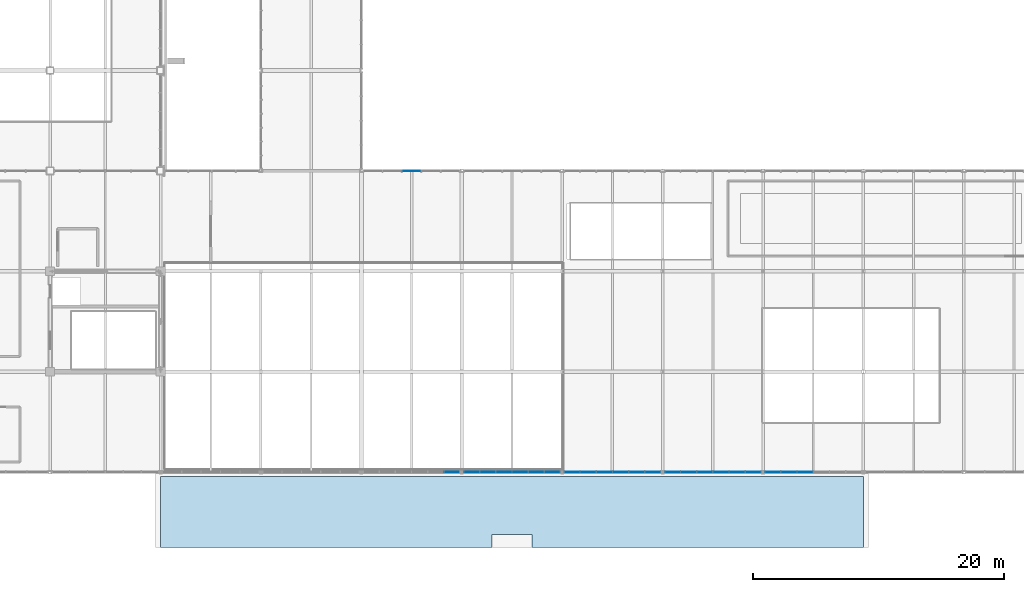
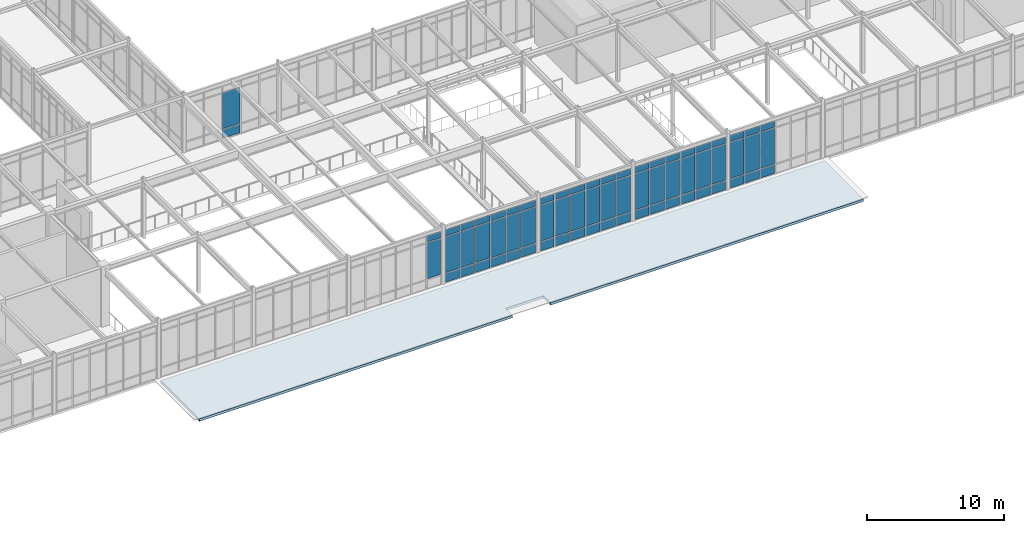
# One storey, part 90 of 184: 67 plates, 1 slab, 6 elements without a shape of their own.
"""IFC4 building model written with IfcOpenShell, lengths in metres."""

import ifcopenshell
import ifcopenshell.guid

model = None  # the IFC model being written
_history = None  # IfcOwnerHistory: only IFC2X3 demands one
_inside = {}  # id of a spatial element -> (the spatial element, [elements in it])
_under = {}  # id of a project, library or spatial element -> (it, [spatial elements below it])
_declared = {}  # id of a project -> (the project, [libraries it declares])
_typed = {}  # id of a type object -> (the type object, [elements of that type])
_made_of = {}  # id of a material, layer set ... -> (it, [elements and type objects made of it])


def new_model(schema):
    """Start an empty IFC model of exactly this schema.

    Asked for "IFC4X3", IfcOpenShell would pick the latest addendum, in which some entities
    have other attributes; the version numbers below select the first issue.
    IFC2X3 requires an IfcOwnerHistory on every rooted entity: one is made here for all.
    """
    global model, _history
    if schema == "IFC4X3":
        model = ifcopenshell.file(schema_version=(4, 3, 0, 0))
    else:
        model = ifcopenshell.file(schema=schema)
    _inside.clear()
    _under.clear()
    _declared.clear()
    _typed.clear()
    _made_of.clear()
    _history = None
    if model.schema == "IFC2X3":
        org = make("IfcOrganization", Name="unknown")
        user = make(
            "IfcPersonAndOrganization",
            ThePerson=make("IfcPerson", FamilyName="unknown"),
            TheOrganization=org,
        )
        app = make(
            "IfcApplication",
            ApplicationDeveloper=org,
            Version="unknown",
            ApplicationFullName="unknown",
            ApplicationIdentifier="unknown",
        )
        _history = make(
            "IfcOwnerHistory",
            OwningUser=user,
            OwningApplication=app,
            ChangeAction="ADDED",
            CreationDate=0,
        )
    return model


def make(cls, **values):
    """One entity of the class cls with the attributes given. An attribute that is None is left unset."""
    return model.create_entity(
        cls, **{name: value for name, value in values.items() if value is not None}
    )


def rooted(cls, **values):
    """An entity with a GlobalId (a new one), such as an element, a storey or a relation."""
    return make(cls, GlobalId=ifcopenshell.guid.new(), OwnerHistory=_history, **values)


def si_unit(unit_type, name, prefix=None):
    """IfcSIUnit, for example si_unit("LENGTHUNIT", "METRE", prefix="MILLI")."""
    return make("IfcSIUnit", UnitType=unit_type, Prefix=prefix, Name=name)


def assignment(units):
    """IfcUnitAssignment: the units of a project."""
    return None if units is None else make("IfcUnitAssignment", Units=units)


def point(xyz):
    """IfcCartesianPoint."""
    return None if xyz is None else make("IfcCartesianPoint", Coordinates=xyz)


def direction(xyz):
    """IfcDirection."""
    return None if xyz is None else make("IfcDirection", DirectionRatios=xyz)


def frame(location, z_axis=None, x_axis=None):
    """IfcAxis2Placement3D, a coordinate frame: its origin and axes. An axis left out is left unset."""
    return make(
        "IfcAxis2Placement3D",
        Location=point(location),
        Axis=direction(z_axis),
        RefDirection=direction(x_axis),
    )


def frame_2d(location, x_axis=None):
    """IfcAxis2Placement2D, a coordinate frame in the plane: its origin and x axis."""
    return make(
        "IfcAxis2Placement2D", Location=point(location), RefDirection=direction(x_axis)
    )


def origin():
    """The frame at (0, 0, 0) with its axes left unset."""
    return frame((0.0, 0.0, 0.0))


def origin_2d():
    """The frame at (0, 0) in the plane with its x axis left unset."""
    return frame_2d((0.0, 0.0))


def place(relative_to, where):
    """IfcLocalPlacement: puts the frame where relative to a parent placement (None: the world)."""
    return make(
        "IfcLocalPlacement", PlacementRelTo=relative_to, RelativePlacement=where
    )


def context(
    kind, dimensions, precision=None, world=None, true_north=None, identifier=None
):
    """IfcGeometricRepresentationContext, for example the 3D "Model" context."""
    return make(
        "IfcGeometricRepresentationContext",
        ContextIdentifier=identifier,
        ContextType=kind,
        CoordinateSpaceDimension=dimensions,
        Precision=precision,
        WorldCoordinateSystem=world,
        TrueNorth=true_north,
    )


def subcontext(parent, identifier, kind, view, scale=None):
    """IfcGeometricRepresentationSubContext, for example "Body" below "Model"."""
    return make(
        "IfcGeometricRepresentationSubContext",
        ContextIdentifier=identifier,
        ContextType=kind,
        ParentContext=parent,
        TargetScale=scale,
        TargetView=view,
    )


def project(units=None, contexts=None):
    """IfcProject with its units and contexts."""
    return rooted(
        "IfcProject",
        Name="project",
        RepresentationContexts=contexts,
        UnitsInContext=assignment(units),
    )


def spatial(cls, under=None, at=None, **own):
    """A site, building, storey or space (cls), placed at a placement, below another one or the project."""
    s = rooted(cls, ObjectPlacement=at, **own)
    if under is not None:
        _under.setdefault(under.id(), (under, []))[1].append(s)
    return s


def polyline(points):
    """IfcPolyline through the points."""
    return make("IfcPolyline", Points=[point(p) for p in points])


def profile(cls, at=None, kind="AREA", **sizes):
    """A parametric profile (cls). Its sizes go by their IFC names, for example OverallWidth=200.0."""
    return make(cls, ProfileType=kind, Position=at, **sizes)


def rectangle(**sizes):
    """IfcRectangleProfileDef."""
    return profile("IfcRectangleProfileDef", **sizes)


def outline(outer, holes=None, kind="AREA"):
    """IfcArbitraryClosedProfileDef: a profile drawn as a closed curve; with holes, ...WithVoids."""
    if holes is None:
        return make("IfcArbitraryClosedProfileDef", ProfileType=kind, OuterCurve=outer)
    return make(
        "IfcArbitraryProfileDefWithVoids",
        ProfileType=kind,
        OuterCurve=outer,
        InnerCurves=holes,
    )


def extrude(swept, where, along, depth):
    """IfcExtrudedAreaSolid: the profile swept, set in the frame where, extruded along a direction by depth."""
    return make(
        "IfcExtrudedAreaSolid",
        SweptArea=swept,
        Position=where,
        ExtrudedDirection=direction(along),
        Depth=depth,
    )


def shape(context_of_items, identifier, shape_type, items):
    """IfcShapeRepresentation: the items that make up one representation, for example the "Body"."""
    return make(
        "IfcShapeRepresentation",
        ContextOfItems=context_of_items,
        RepresentationIdentifier=identifier,
        RepresentationType=shape_type,
        Items=items,
    )


def material(Name=None, Category=None):
    """IfcMaterial."""
    return make("IfcMaterial", Name=Name, Category=Category)


def layer(
    of_material, thickness, ventilated=None, Name=None, Category=None, Priority=None
):
    """IfcMaterialLayer: one layer of a wall or slab, of a material (None: an air gap)."""
    return make(
        "IfcMaterialLayer",
        Material=of_material,
        LayerThickness=thickness,
        IsVentilated=ventilated,
        Name=Name,
        Category=Category,
        Priority=Priority,
    )


def layer_set(layers, Name=None):
    """IfcMaterialLayerSet."""
    return make("IfcMaterialLayerSet", MaterialLayers=layers, LayerSetName=Name)


def made_of(thing, what):
    """Note that an element or type object is made of a material, layer set ...; save() writes the relation."""
    if what is not None:
        _made_of.setdefault(what.id(), (what, []))[1].append(thing)
    return thing


def type_object(cls, material=None, **own):
    """A type object (cls), such as IfcWallType, which elements share."""
    return made_of(rooted(cls, **own), material)


def element(
    cls,
    number,
    at=None,
    inside=None,
    cuts=None,
    type_object=None,
    material=None,
    context=None,
    identifier="Body",
    shape_type=None,
    held_by="IfcProductDefinitionShape",
    body=None,
    shapes=None,
    **own,
):
    """One element of the class cls, such as IfcWall. Its Tag is "e" and its number.

    at: its placement. inside: the storey or other place that contains it. cuts: it is an
    opening in that element (IfcRelVoidsElement). A single representation is given by context,
    identifier, shape_type and body (its items); several are given by shapes. held_by: the class
    of the entity that holds the representations. save() writes the other relations.
    """
    e = rooted(cls, Tag="e%d" % number, ObjectPlacement=at, **own)
    if body is not None:
        shapes = [shape(context, identifier, shape_type, body)]
    if shapes is not None:
        e.Representation = make(held_by, Representations=shapes)
    if inside is not None:
        _inside.setdefault(inside.id(), (inside, []))[1].append(e)
    if cuts is not None:
        rooted(
            "IfcRelVoidsElement", RelatingBuildingElement=cuts, RelatedOpeningElement=e
        )
    if type_object is not None:
        _typed.setdefault(type_object.id(), (type_object, []))[1].append(e)
    return made_of(e, material)


def aggregate(whole, parts):
    """IfcRelAggregates: a whole, such as a stair, and the parts it consists of."""
    return rooted("IfcRelAggregates", RelatingObject=whole, RelatedObjects=parts)


def save(model, path):
    """Write the relations noted so far, then the file.

    IfcRelAggregates (storeys below a building ...), IfcRelContainedInSpatialStructure (elements
    in a storey), IfcRelDefinesByType, IfcRelAssociatesMaterial and IfcRelDeclares: one each for
    every whole, place, type object, material and project.
    """
    for whole, parts in _under.values():
        aggregate(whole, parts)
    for where, things in _inside.values():
        rooted(
            "IfcRelContainedInSpatialStructure",
            RelatedElements=things,
            RelatingStructure=where,
        )
    for kind, things in _typed.values():
        rooted("IfcRelDefinesByType", RelatedObjects=things, RelatingType=kind)
    for what, things in _made_of.values():
        rooted("IfcRelAssociatesMaterial", RelatedObjects=things, RelatingMaterial=what)
    for by, libraries in _declared.values():
        rooted("IfcRelDeclares", RelatingContext=by, RelatedDefinitions=libraries)
    model.write(path)


model = new_model("IFC4")

# Units and contexts
model_context = context("Model", 3, precision=1e-05, world=origin(), true_north=direction((0.0, 1.0)))
body_context = subcontext(model_context, "Body", "Model", "MODEL_VIEW")
ifc_project = project(units=[si_unit("LENGTHUNIT", "METRE"), si_unit("AREAUNIT", "SQUARE_METRE"), si_unit("VOLUMEUNIT", "CUBIC_METRE"), si_unit("PLANEANGLEUNIT", "RADIAN"), si_unit("MASSUNIT", "GRAM", prefix="KILO")], contexts=[model_context])

# Site, building, storey
site_placement = place(None, origin())
site = spatial("IfcSite", under=ifc_project, at=site_placement, CompositionType="ELEMENT")
building_placement = place(site_placement, origin())
building = spatial("IfcBuilding", under=site, at=building_placement, Name="Zhaolan Boulevard Law Courts", CompositionType="ELEMENT")
storey_placement = place(building_placement, frame((0.0, 0.0, 5.39990234375)))
storey = spatial("IfcBuildingStorey", under=building, at=storey_placement, Name="L01", CompositionType="ELEMENT", Elevation=5.39990234375)

# Curtain wall, plates
ifc_material_1 = material(Name="Thermally broken aluminium and low-E glazing", Category="aluminium")
curtain_wall_type_1 = type_object("IfcCurtainWallType", Name="CURTAIN WALL M11", PredefinedType="USERDEFINED", material=ifc_material_1)
curtain_wall_1_placement = place(storey_placement, origin())
curtain_wall_1 = element("IfcCurtainWall", 1, at=curtain_wall_1_placement, inside=storey, type_object=curtain_wall_type_1, Name="Curtain Wall CW-L01-035", ObjectType="CURTAIN WALL", PredefinedType="USERDEFINED")
ifc_material_2 = material(Name="Acoustic laminated low-E glazing", Category="glass")
ifc_layer_1 = layer(ifc_material_2, 0.031982421875)
ifc_layer_set_1 = layer_set([ifc_layer_1])
plate_type = type_object("IfcPlateType", Name="CWPANEL LOW E32", PredefinedType="CURTAIN_PANEL", material=ifc_layer_set_1)
plate_1_placement = place(storey_placement, frame((67.211181640625, 6.0, 0.9326171875), z_axis=(0.0, 0.0, 1.0), x_axis=(1.0, 0.0, 0.0)))
plate_1 = element("IfcPlate", 2, at=plate_1_placement, type_object=plate_type, Name="CW-L01-035 panel 6.2", PredefinedType="CURTAIN_PANEL", context=body_context, shape_type="SweptSolid", body=[
    extrude(rectangle(XDim=1.193603515625, YDim=0.031982421875, at=origin_2d()), origin(), (0.0, 0.0, 1.0), 3.2080078125),
])
plate_2_placement = place(storey_placement, frame((67.211181640625, 6.0, 4.20556640625), z_axis=(0.0, 0.0, 1.0), x_axis=(1.0, 0.0, 0.0)))
plate_2 = element("IfcPlate", 3, at=plate_2_placement, type_object=plate_type, Name="CW-L01-035 panel 6.3", PredefinedType="CURTAIN_PANEL", context=body_context, shape_type="SweptSolid", body=[
    extrude(rectangle(XDim=1.193603515625, YDim=0.031982421875, at=origin_2d()), origin(), (0.0, 0.0, 1.0), 0.552490234375),
])
aggregate(curtain_wall_1, [plate_1, plate_2])

ifc_material_3 = material(Name="Thermally broken aluminium and low-E glazing", Category="aluminium")
curtain_wall_type_2 = type_object("IfcCurtainWallType", Name="CURTAIN WALL M12", PredefinedType="USERDEFINED", material=ifc_material_3)
curtain_wall_2_placement = place(storey_placement, origin())
curtain_wall_2 = element("IfcCurtainWall", 4, at=curtain_wall_2_placement, inside=storey, type_object=curtain_wall_type_2, Name="Curtain Wall CW-L01-036", ObjectType="CURTAIN WALL", PredefinedType="USERDEFINED")
plate_3_placement = place(storey_placement, frame((68.788818359375, 6.0, 0.06494140625), z_axis=(0.0, 0.0, 1.0), x_axis=(1.0, 0.0, 0.0)))
plate_3 = element("IfcPlate", 5, at=plate_3_placement, type_object=plate_type, Name="CW-L01-036 panel 1.1", PredefinedType="CURTAIN_PANEL", context=body_context, shape_type="SweptSolid", body=[
    extrude(rectangle(XDim=1.193603515625, YDim=0.031982421875, at=origin_2d()), origin(), (0.0, 0.0, 1.0), 0.802490234375),
])
plate_4_placement = place(storey_placement, frame((68.788818359375, 6.0, 0.9326171875), z_axis=(0.0, 0.0, 1.0), x_axis=(1.0, 0.0, 0.0)))
plate_4 = element("IfcPlate", 6, at=plate_4_placement, type_object=plate_type, Name="CW-L01-036 panel 1.2", PredefinedType="CURTAIN_PANEL", context=body_context, shape_type="SweptSolid", body=[
    extrude(rectangle(XDim=1.193603515625, YDim=0.031982421875, at=origin_2d()), origin(), (0.0, 0.0, 1.0), 3.2080078125),
])
plate_5_placement = place(storey_placement, frame((68.788818359375, 6.0, 4.20556640625), z_axis=(0.0, 0.0, 1.0), x_axis=(1.0, 0.0, 0.0)))
plate_5 = element("IfcPlate", 7, at=plate_5_placement, type_object=plate_type, Name="CW-L01-036 panel 1.3", PredefinedType="CURTAIN_PANEL", context=body_context, shape_type="SweptSolid", body=[
    extrude(rectangle(XDim=1.193603515625, YDim=0.031982421875, at=origin_2d()), origin(), (0.0, 0.0, 1.0), 0.552490234375),
])
plate_6_placement = place(storey_placement, frame((70.0634765625, 6.0, 0.06494140625), z_axis=(0.0, 0.0, 1.0), x_axis=(1.0, 0.0, 0.0)))
plate_6 = element("IfcPlate", 8, at=plate_6_placement, type_object=plate_type, Name="CW-L01-036 panel 2.1", PredefinedType="CURTAIN_PANEL", context=body_context, shape_type="SweptSolid", body=[
    extrude(rectangle(XDim=1.22607421875, YDim=0.031982421875, at=origin_2d()), origin(), (0.0, 0.0, 1.0), 0.802490234375),
])
plate_7_placement = place(storey_placement, frame((70.0634765625, 6.0, 0.9326171875), z_axis=(0.0, 0.0, 1.0), x_axis=(1.0, 0.0, 0.0)))
plate_7 = element("IfcPlate", 9, at=plate_7_placement, type_object=plate_type, Name="CW-L01-036 panel 2.2", PredefinedType="CURTAIN_PANEL", context=body_context, shape_type="SweptSolid", body=[
    extrude(rectangle(XDim=1.22607421875, YDim=0.031982421875, at=origin_2d()), origin(), (0.0, 0.0, 1.0), 3.2080078125),
])
plate_8_placement = place(storey_placement, frame((70.0634765625, 6.0, 4.20556640625), z_axis=(0.0, 0.0, 1.0), x_axis=(1.0, 0.0, 0.0)))
plate_8 = element("IfcPlate", 10, at=plate_8_placement, type_object=plate_type, Name="CW-L01-036 panel 2.3", PredefinedType="CURTAIN_PANEL", context=body_context, shape_type="SweptSolid", body=[
    extrude(rectangle(XDim=1.22607421875, YDim=0.031982421875, at=origin_2d()), origin(), (0.0, 0.0, 1.0), 0.552490234375),
])
plate_9_placement = place(storey_placement, frame((71.3544921875, 6.0, 0.06494140625), z_axis=(0.0, 0.0, 1.0), x_axis=(1.0, 0.0, 0.0)))
plate_9 = element("IfcPlate", 11, at=plate_9_placement, type_object=plate_type, Name="CW-L01-036 panel 3.1", PredefinedType="CURTAIN_PANEL", context=body_context, shape_type="SweptSolid", body=[
    extrude(rectangle(XDim=1.22607421875, YDim=0.031982421875, at=origin_2d()), origin(), (0.0, 0.0, 1.0), 0.802490234375),
])
plate_10_placement = place(storey_placement, frame((71.3544921875, 6.0, 0.9326171875), z_axis=(0.0, 0.0, 1.0), x_axis=(1.0, 0.0, 0.0)))
plate_10 = element("IfcPlate", 12, at=plate_10_placement, type_object=plate_type, Name="CW-L01-036 panel 3.2", PredefinedType="CURTAIN_PANEL", context=body_context, shape_type="SweptSolid", body=[
    extrude(rectangle(XDim=1.22607421875, YDim=0.031982421875, at=origin_2d()), origin(), (0.0, 0.0, 1.0), 3.2080078125),
])
plate_11_placement = place(storey_placement, frame((71.3544921875, 6.0, 4.20556640625), z_axis=(0.0, 0.0, 1.0), x_axis=(1.0, 0.0, 0.0)))
plate_11 = element("IfcPlate", 13, at=plate_11_placement, type_object=plate_type, Name="CW-L01-036 panel 3.3", PredefinedType="CURTAIN_PANEL", context=body_context, shape_type="SweptSolid", body=[
    extrude(rectangle(XDim=1.22607421875, YDim=0.031982421875, at=origin_2d()), origin(), (0.0, 0.0, 1.0), 0.552490234375),
])
plate_12_placement = place(storey_placement, frame((72.6455078125, 6.0, 0.06494140625), z_axis=(0.0, 0.0, 1.0), x_axis=(1.0, 0.0, 0.0)))
plate_12 = element("IfcPlate", 14, at=plate_12_placement, type_object=plate_type, Name="CW-L01-036 panel 4.1", PredefinedType="CURTAIN_PANEL", context=body_context, shape_type="SweptSolid", body=[
    extrude(rectangle(XDim=1.22607421875, YDim=0.031982421875, at=origin_2d()), origin(), (0.0, 0.0, 1.0), 0.802490234375),
])
plate_13_placement = place(storey_placement, frame((72.6455078125, 6.0, 0.9326171875), z_axis=(0.0, 0.0, 1.0), x_axis=(1.0, 0.0, 0.0)))
plate_13 = element("IfcPlate", 15, at=plate_13_placement, type_object=plate_type, Name="CW-L01-036 panel 4.2", PredefinedType="CURTAIN_PANEL", context=body_context, shape_type="SweptSolid", body=[
    extrude(rectangle(XDim=1.22607421875, YDim=0.031982421875, at=origin_2d()), origin(), (0.0, 0.0, 1.0), 3.2080078125),
])
plate_14_placement = place(storey_placement, frame((72.6455078125, 6.0, 4.20556640625), z_axis=(0.0, 0.0, 1.0), x_axis=(1.0, 0.0, 0.0)))
plate_14 = element("IfcPlate", 16, at=plate_14_placement, type_object=plate_type, Name="CW-L01-036 panel 4.3", PredefinedType="CURTAIN_PANEL", context=body_context, shape_type="SweptSolid", body=[
    extrude(rectangle(XDim=1.22607421875, YDim=0.031982421875, at=origin_2d()), origin(), (0.0, 0.0, 1.0), 0.552490234375),
])
plate_15_placement = place(storey_placement, frame((73.9365234375, 6.0, 0.06494140625), z_axis=(0.0, 0.0, 1.0), x_axis=(1.0, 0.0, 0.0)))
plate_15 = element("IfcPlate", 17, at=plate_15_placement, type_object=plate_type, Name="CW-L01-036 panel 5.1", PredefinedType="CURTAIN_PANEL", context=body_context, shape_type="SweptSolid", body=[
    extrude(rectangle(XDim=1.22607421875, YDim=0.031982421875, at=origin_2d()), origin(), (0.0, 0.0, 1.0), 0.802490234375),
])
plate_16_placement = place(storey_placement, frame((73.9365234375, 6.0, 0.9326171875), z_axis=(0.0, 0.0, 1.0), x_axis=(1.0, 0.0, 0.0)))
plate_16 = element("IfcPlate", 18, at=plate_16_placement, type_object=plate_type, Name="CW-L01-036 panel 5.2", PredefinedType="CURTAIN_PANEL", context=body_context, shape_type="SweptSolid", body=[
    extrude(rectangle(XDim=1.22607421875, YDim=0.031982421875, at=origin_2d()), origin(), (0.0, 0.0, 1.0), 3.2080078125),
])
plate_17_placement = place(storey_placement, frame((73.9365234375, 6.0, 4.20556640625), z_axis=(0.0, 0.0, 1.0), x_axis=(1.0, 0.0, 0.0)))
plate_17 = element("IfcPlate", 19, at=plate_17_placement, type_object=plate_type, Name="CW-L01-036 panel 5.3", PredefinedType="CURTAIN_PANEL", context=body_context, shape_type="SweptSolid", body=[
    extrude(rectangle(XDim=1.22607421875, YDim=0.031982421875, at=origin_2d()), origin(), (0.0, 0.0, 1.0), 0.552490234375),
])
plate_18_placement = place(storey_placement, frame((75.211181640625, 6.0, 0.06494140625), z_axis=(0.0, 0.0, 1.0), x_axis=(1.0, 0.0, 0.0)))
plate_18 = element("IfcPlate", 20, at=plate_18_placement, type_object=plate_type, Name="CW-L01-036 panel 6.1", PredefinedType="CURTAIN_PANEL", context=body_context, shape_type="SweptSolid", body=[
    extrude(rectangle(XDim=1.193603515625, YDim=0.031982421875, at=origin_2d()), origin(), (0.0, 0.0, 1.0), 0.802490234375),
])
plate_19_placement = place(storey_placement, frame((75.211181640625, 6.0, 0.9326171875), z_axis=(0.0, 0.0, 1.0), x_axis=(1.0, 0.0, 0.0)))
plate_19 = element("IfcPlate", 21, at=plate_19_placement, type_object=plate_type, Name="CW-L01-036 panel 6.2", PredefinedType="CURTAIN_PANEL", context=body_context, shape_type="SweptSolid", body=[
    extrude(rectangle(XDim=1.193603515625, YDim=0.031982421875, at=origin_2d()), origin(), (0.0, 0.0, 1.0), 3.2080078125),
])
plate_20_placement = place(storey_placement, frame((75.211181640625, 6.0, 4.20556640625), z_axis=(0.0, 0.0, 1.0), x_axis=(1.0, 0.0, 0.0)))
plate_20 = element("IfcPlate", 22, at=plate_20_placement, type_object=plate_type, Name="CW-L01-036 panel 6.3", PredefinedType="CURTAIN_PANEL", context=body_context, shape_type="SweptSolid", body=[
    extrude(rectangle(XDim=1.193603515625, YDim=0.031982421875, at=origin_2d()), origin(), (0.0, 0.0, 1.0), 0.552490234375),
])
aggregate(curtain_wall_2, [plate_3, plate_4, plate_5, plate_6, plate_7, plate_8, plate_9, plate_10, plate_11, plate_12, plate_13, plate_14, plate_15, plate_16, plate_17, plate_18, plate_19, plate_20])

ifc_material_4 = material(Name="Thermally broken aluminium and low-E glazing", Category="aluminium")
curtain_wall_type_3 = type_object("IfcCurtainWallType", Name="CURTAIN WALL M13", PredefinedType="USERDEFINED", material=ifc_material_4)
curtain_wall_3_placement = place(storey_placement, origin())
curtain_wall_3 = element("IfcCurtainWall", 23, at=curtain_wall_3_placement, inside=storey, type_object=curtain_wall_type_3, Name="Curtain Wall CW-L01-037", ObjectType="CURTAIN WALL", PredefinedType="USERDEFINED")
plate_21_placement = place(storey_placement, frame((76.788818359375, 6.0, 0.06494140625), z_axis=(0.0, 0.0, 1.0), x_axis=(1.0, 0.0, 0.0)))
plate_21 = element("IfcPlate", 24, at=plate_21_placement, type_object=plate_type, Name="CW-L01-037 panel 1.1", PredefinedType="CURTAIN_PANEL", context=body_context, shape_type="SweptSolid", body=[
    extrude(rectangle(XDim=1.193603515625, YDim=0.031982421875, at=origin_2d()), origin(), (0.0, 0.0, 1.0), 0.802490234375),
])
plate_22_placement = place(storey_placement, frame((76.788818359375, 6.0, 0.9326171875), z_axis=(0.0, 0.0, 1.0), x_axis=(1.0, 0.0, 0.0)))
plate_22 = element("IfcPlate", 25, at=plate_22_placement, type_object=plate_type, Name="CW-L01-037 panel 1.2", PredefinedType="CURTAIN_PANEL", context=body_context, shape_type="SweptSolid", body=[
    extrude(rectangle(XDim=1.193603515625, YDim=0.031982421875, at=origin_2d()), origin(), (0.0, 0.0, 1.0), 3.2080078125),
])
plate_23_placement = place(storey_placement, frame((76.788818359375, 6.0, 4.20556640625), z_axis=(0.0, 0.0, 1.0), x_axis=(1.0, 0.0, 0.0)))
plate_23 = element("IfcPlate", 26, at=plate_23_placement, type_object=plate_type, Name="CW-L01-037 panel 1.3", PredefinedType="CURTAIN_PANEL", context=body_context, shape_type="SweptSolid", body=[
    extrude(rectangle(XDim=1.193603515625, YDim=0.031982421875, at=origin_2d()), origin(), (0.0, 0.0, 1.0), 0.552490234375),
])
plate_24_placement = place(storey_placement, frame((78.0634765625, 6.0, 0.06494140625), z_axis=(0.0, 0.0, 1.0), x_axis=(1.0, 0.0, 0.0)))
plate_24 = element("IfcPlate", 27, at=plate_24_placement, type_object=plate_type, Name="CW-L01-037 panel 2.1", PredefinedType="CURTAIN_PANEL", context=body_context, shape_type="SweptSolid", body=[
    extrude(rectangle(XDim=1.22607421875, YDim=0.031982421875, at=origin_2d()), origin(), (0.0, 0.0, 1.0), 0.802490234375),
])
plate_25_placement = place(storey_placement, frame((78.0634765625, 6.0, 0.9326171875), z_axis=(0.0, 0.0, 1.0), x_axis=(1.0, 0.0, 0.0)))
plate_25 = element("IfcPlate", 28, at=plate_25_placement, type_object=plate_type, Name="CW-L01-037 panel 2.2", PredefinedType="CURTAIN_PANEL", context=body_context, shape_type="SweptSolid", body=[
    extrude(rectangle(XDim=1.22607421875, YDim=0.031982421875, at=origin_2d()), origin(), (0.0, 0.0, 1.0), 3.2080078125),
])
plate_26_placement = place(storey_placement, frame((78.0634765625, 6.0, 4.20556640625), z_axis=(0.0, 0.0, 1.0), x_axis=(1.0, 0.0, 0.0)))
plate_26 = element("IfcPlate", 29, at=plate_26_placement, type_object=plate_type, Name="CW-L01-037 panel 2.3", PredefinedType="CURTAIN_PANEL", context=body_context, shape_type="SweptSolid", body=[
    extrude(rectangle(XDim=1.22607421875, YDim=0.031982421875, at=origin_2d()), origin(), (0.0, 0.0, 1.0), 0.552490234375),
])
plate_27_placement = place(storey_placement, frame((79.3544921875, 6.0, 0.06494140625), z_axis=(0.0, 0.0, 1.0), x_axis=(1.0, 0.0, 0.0)))
plate_27 = element("IfcPlate", 30, at=plate_27_placement, type_object=plate_type, Name="CW-L01-037 panel 3.1", PredefinedType="CURTAIN_PANEL", context=body_context, shape_type="SweptSolid", body=[
    extrude(rectangle(XDim=1.22607421875, YDim=0.031982421875, at=origin_2d()), origin(), (0.0, 0.0, 1.0), 0.802490234375),
])
plate_28_placement = place(storey_placement, frame((79.3544921875, 6.0, 0.9326171875), z_axis=(0.0, 0.0, 1.0), x_axis=(1.0, 0.0, 0.0)))
plate_28 = element("IfcPlate", 31, at=plate_28_placement, type_object=plate_type, Name="CW-L01-037 panel 3.2", PredefinedType="CURTAIN_PANEL", context=body_context, shape_type="SweptSolid", body=[
    extrude(rectangle(XDim=1.22607421875, YDim=0.031982421875, at=origin_2d()), origin(), (0.0, 0.0, 1.0), 3.2080078125),
])
plate_29_placement = place(storey_placement, frame((79.3544921875, 6.0, 4.20556640625), z_axis=(0.0, 0.0, 1.0), x_axis=(1.0, 0.0, 0.0)))
plate_29 = element("IfcPlate", 32, at=plate_29_placement, type_object=plate_type, Name="CW-L01-037 panel 3.3", PredefinedType="CURTAIN_PANEL", context=body_context, shape_type="SweptSolid", body=[
    extrude(rectangle(XDim=1.22607421875, YDim=0.031982421875, at=origin_2d()), origin(), (0.0, 0.0, 1.0), 0.552490234375),
])
plate_30_placement = place(storey_placement, frame((80.6455078125, 6.0, 0.06494140625), z_axis=(0.0, 0.0, 1.0), x_axis=(1.0, 0.0, 0.0)))
plate_30 = element("IfcPlate", 33, at=plate_30_placement, type_object=plate_type, Name="CW-L01-037 panel 4.1", PredefinedType="CURTAIN_PANEL", context=body_context, shape_type="SweptSolid", body=[
    extrude(rectangle(XDim=1.22607421875, YDim=0.031982421875, at=origin_2d()), origin(), (0.0, 0.0, 1.0), 0.802490234375),
])
plate_31_placement = place(storey_placement, frame((80.6455078125, 6.0, 0.9326171875), z_axis=(0.0, 0.0, 1.0), x_axis=(1.0, 0.0, 0.0)))
plate_31 = element("IfcPlate", 34, at=plate_31_placement, type_object=plate_type, Name="CW-L01-037 panel 4.2", PredefinedType="CURTAIN_PANEL", context=body_context, shape_type="SweptSolid", body=[
    extrude(rectangle(XDim=1.22607421875, YDim=0.031982421875, at=origin_2d()), origin(), (0.0, 0.0, 1.0), 3.2080078125),
])
plate_32_placement = place(storey_placement, frame((80.6455078125, 6.0, 4.20556640625), z_axis=(0.0, 0.0, 1.0), x_axis=(1.0, 0.0, 0.0)))
plate_32 = element("IfcPlate", 35, at=plate_32_placement, type_object=plate_type, Name="CW-L01-037 panel 4.3", PredefinedType="CURTAIN_PANEL", context=body_context, shape_type="SweptSolid", body=[
    extrude(rectangle(XDim=1.22607421875, YDim=0.031982421875, at=origin_2d()), origin(), (0.0, 0.0, 1.0), 0.552490234375),
])
plate_33_placement = place(storey_placement, frame((81.9365234375, 6.0, 0.06494140625), z_axis=(0.0, 0.0, 1.0), x_axis=(1.0, 0.0, 0.0)))
plate_33 = element("IfcPlate", 36, at=plate_33_placement, type_object=plate_type, Name="CW-L01-037 panel 5.1", PredefinedType="CURTAIN_PANEL", context=body_context, shape_type="SweptSolid", body=[
    extrude(rectangle(XDim=1.22607421875, YDim=0.031982421875, at=origin_2d()), origin(), (0.0, 0.0, 1.0), 0.802490234375),
])
plate_34_placement = place(storey_placement, frame((81.9365234375, 6.0, 0.9326171875), z_axis=(0.0, 0.0, 1.0), x_axis=(1.0, 0.0, 0.0)))
plate_34 = element("IfcPlate", 37, at=plate_34_placement, type_object=plate_type, Name="CW-L01-037 panel 5.2", PredefinedType="CURTAIN_PANEL", context=body_context, shape_type="SweptSolid", body=[
    extrude(rectangle(XDim=1.22607421875, YDim=0.031982421875, at=origin_2d()), origin(), (0.0, 0.0, 1.0), 3.2080078125),
])
plate_35_placement = place(storey_placement, frame((81.9365234375, 6.0, 4.20556640625), z_axis=(0.0, 0.0, 1.0), x_axis=(1.0, 0.0, 0.0)))
plate_35 = element("IfcPlate", 38, at=plate_35_placement, type_object=plate_type, Name="CW-L01-037 panel 5.3", PredefinedType="CURTAIN_PANEL", context=body_context, shape_type="SweptSolid", body=[
    extrude(rectangle(XDim=1.22607421875, YDim=0.031982421875, at=origin_2d()), origin(), (0.0, 0.0, 1.0), 0.552490234375),
])
plate_36_placement = place(storey_placement, frame((83.211181640625, 6.0, 0.06494140625), z_axis=(0.0, 0.0, 1.0), x_axis=(1.0, 0.0, 0.0)))
plate_36 = element("IfcPlate", 39, at=plate_36_placement, type_object=plate_type, Name="CW-L01-037 panel 6.1", PredefinedType="CURTAIN_PANEL", context=body_context, shape_type="SweptSolid", body=[
    extrude(rectangle(XDim=1.193603515625, YDim=0.031982421875, at=origin_2d()), origin(), (0.0, 0.0, 1.0), 0.802490234375),
])
plate_37_placement = place(storey_placement, frame((83.211181640625, 6.0, 0.9326171875), z_axis=(0.0, 0.0, 1.0), x_axis=(1.0, 0.0, 0.0)))
plate_37 = element("IfcPlate", 40, at=plate_37_placement, type_object=plate_type, Name="CW-L01-037 panel 6.2", PredefinedType="CURTAIN_PANEL", context=body_context, shape_type="SweptSolid", body=[
    extrude(rectangle(XDim=1.193603515625, YDim=0.031982421875, at=origin_2d()), origin(), (0.0, 0.0, 1.0), 3.2080078125),
])
plate_38_placement = place(storey_placement, frame((83.211181640625, 6.0, 4.20556640625), z_axis=(0.0, 0.0, 1.0), x_axis=(1.0, 0.0, 0.0)))
plate_38 = element("IfcPlate", 41, at=plate_38_placement, type_object=plate_type, Name="CW-L01-037 panel 6.3", PredefinedType="CURTAIN_PANEL", context=body_context, shape_type="SweptSolid", body=[
    extrude(rectangle(XDim=1.193603515625, YDim=0.031982421875, at=origin_2d()), origin(), (0.0, 0.0, 1.0), 0.552490234375),
])
aggregate(curtain_wall_3, [plate_21, plate_22, plate_23, plate_24, plate_25, plate_26, plate_27, plate_28, plate_29, plate_30, plate_31, plate_32, plate_33, plate_34, plate_35, plate_36, plate_37, plate_38])

ifc_material_5 = material(Name="Thermally broken aluminium and low-E glazing", Category="aluminium")
curtain_wall_type_4 = type_object("IfcCurtainWallType", Name="CURTAIN WALL M14", PredefinedType="USERDEFINED", material=ifc_material_5)
curtain_wall_4_placement = place(storey_placement, origin())
curtain_wall_4 = element("IfcCurtainWall", 42, at=curtain_wall_4_placement, inside=storey, type_object=curtain_wall_type_4, Name="Curtain Wall CW-L01-038", ObjectType="CURTAIN WALL", PredefinedType="USERDEFINED")
plate_39_placement = place(storey_placement, frame((84.788818359375, 6.0, 0.06494140625), z_axis=(0.0, 0.0, 1.0), x_axis=(1.0, 0.0, 0.0)))
plate_39 = element("IfcPlate", 43, at=plate_39_placement, type_object=plate_type, Name="CW-L01-038 panel 1.1", PredefinedType="CURTAIN_PANEL", context=body_context, shape_type="SweptSolid", body=[
    extrude(rectangle(XDim=1.193603515625, YDim=0.031982421875, at=origin_2d()), origin(), (0.0, 0.0, 1.0), 0.802490234375),
])
plate_40_placement = place(storey_placement, frame((84.788818359375, 6.0, 0.9326171875), z_axis=(0.0, 0.0, 1.0), x_axis=(1.0, 0.0, 0.0)))
plate_40 = element("IfcPlate", 44, at=plate_40_placement, type_object=plate_type, Name="CW-L01-038 panel 1.2", PredefinedType="CURTAIN_PANEL", context=body_context, shape_type="SweptSolid", body=[
    extrude(rectangle(XDim=1.193603515625, YDim=0.031982421875, at=origin_2d()), origin(), (0.0, 0.0, 1.0), 3.2080078125),
])
plate_41_placement = place(storey_placement, frame((84.788818359375, 6.0, 4.20556640625), z_axis=(0.0, 0.0, 1.0), x_axis=(1.0, 0.0, 0.0)))
plate_41 = element("IfcPlate", 45, at=plate_41_placement, type_object=plate_type, Name="CW-L01-038 panel 1.3", PredefinedType="CURTAIN_PANEL", context=body_context, shape_type="SweptSolid", body=[
    extrude(rectangle(XDim=1.193603515625, YDim=0.031982421875, at=origin_2d()), origin(), (0.0, 0.0, 1.0), 0.552490234375),
])
plate_42_placement = place(storey_placement, frame((86.0634765625, 6.0, 0.06494140625), z_axis=(0.0, 0.0, 1.0), x_axis=(1.0, 0.0, 0.0)))
plate_42 = element("IfcPlate", 46, at=plate_42_placement, type_object=plate_type, Name="CW-L01-038 panel 2.1", PredefinedType="CURTAIN_PANEL", context=body_context, shape_type="SweptSolid", body=[
    extrude(rectangle(XDim=1.22607421875, YDim=0.031982421875, at=origin_2d()), origin(), (0.0, 0.0, 1.0), 0.802490234375),
])
plate_43_placement = place(storey_placement, frame((86.0634765625, 6.0, 0.9326171875), z_axis=(0.0, 0.0, 1.0), x_axis=(1.0, 0.0, 0.0)))
plate_43 = element("IfcPlate", 47, at=plate_43_placement, type_object=plate_type, Name="CW-L01-038 panel 2.2", PredefinedType="CURTAIN_PANEL", context=body_context, shape_type="SweptSolid", body=[
    extrude(rectangle(XDim=1.22607421875, YDim=0.031982421875, at=origin_2d()), origin(), (0.0, 0.0, 1.0), 3.2080078125),
])
plate_44_placement = place(storey_placement, frame((86.0634765625, 6.0, 4.20556640625), z_axis=(0.0, 0.0, 1.0), x_axis=(1.0, 0.0, 0.0)))
plate_44 = element("IfcPlate", 48, at=plate_44_placement, type_object=plate_type, Name="CW-L01-038 panel 2.3", PredefinedType="CURTAIN_PANEL", context=body_context, shape_type="SweptSolid", body=[
    extrude(rectangle(XDim=1.22607421875, YDim=0.031982421875, at=origin_2d()), origin(), (0.0, 0.0, 1.0), 0.552490234375),
])
plate_45_placement = place(storey_placement, frame((87.3544921875, 6.0, 0.06494140625), z_axis=(0.0, 0.0, 1.0), x_axis=(1.0, 0.0, 0.0)))
plate_45 = element("IfcPlate", 49, at=plate_45_placement, type_object=plate_type, Name="CW-L01-038 panel 3.1", PredefinedType="CURTAIN_PANEL", context=body_context, shape_type="SweptSolid", body=[
    extrude(rectangle(XDim=1.22607421875, YDim=0.031982421875, at=origin_2d()), origin(), (0.0, 0.0, 1.0), 0.802490234375),
])
plate_46_placement = place(storey_placement, frame((87.3544921875, 6.0, 0.9326171875), z_axis=(0.0, 0.0, 1.0), x_axis=(1.0, 0.0, 0.0)))
plate_46 = element("IfcPlate", 50, at=plate_46_placement, type_object=plate_type, Name="CW-L01-038 panel 3.2", PredefinedType="CURTAIN_PANEL", context=body_context, shape_type="SweptSolid", body=[
    extrude(rectangle(XDim=1.22607421875, YDim=0.031982421875, at=origin_2d()), origin(), (0.0, 0.0, 1.0), 3.2080078125),
])
plate_47_placement = place(storey_placement, frame((87.3544921875, 6.0, 4.20556640625), z_axis=(0.0, 0.0, 1.0), x_axis=(1.0, 0.0, 0.0)))
plate_47 = element("IfcPlate", 51, at=plate_47_placement, type_object=plate_type, Name="CW-L01-038 panel 3.3", PredefinedType="CURTAIN_PANEL", context=body_context, shape_type="SweptSolid", body=[
    extrude(rectangle(XDim=1.22607421875, YDim=0.031982421875, at=origin_2d()), origin(), (0.0, 0.0, 1.0), 0.552490234375),
])
plate_48_placement = place(storey_placement, frame((88.6455078125, 6.0, 0.06494140625), z_axis=(0.0, 0.0, 1.0), x_axis=(1.0, 0.0, 0.0)))
plate_48 = element("IfcPlate", 52, at=plate_48_placement, type_object=plate_type, Name="CW-L01-038 panel 4.1", PredefinedType="CURTAIN_PANEL", context=body_context, shape_type="SweptSolid", body=[
    extrude(rectangle(XDim=1.22607421875, YDim=0.031982421875, at=origin_2d()), origin(), (0.0, 0.0, 1.0), 0.802490234375),
])
plate_49_placement = place(storey_placement, frame((88.6455078125, 6.0, 0.9326171875), z_axis=(0.0, 0.0, 1.0), x_axis=(1.0, 0.0, 0.0)))
plate_49 = element("IfcPlate", 53, at=plate_49_placement, type_object=plate_type, Name="CW-L01-038 panel 4.2", PredefinedType="CURTAIN_PANEL", context=body_context, shape_type="SweptSolid", body=[
    extrude(rectangle(XDim=1.22607421875, YDim=0.031982421875, at=origin_2d()), origin(), (0.0, 0.0, 1.0), 3.2080078125),
])
plate_50_placement = place(storey_placement, frame((88.6455078125, 6.0, 4.20556640625), z_axis=(0.0, 0.0, 1.0), x_axis=(1.0, 0.0, 0.0)))
plate_50 = element("IfcPlate", 54, at=plate_50_placement, type_object=plate_type, Name="CW-L01-038 panel 4.3", PredefinedType="CURTAIN_PANEL", context=body_context, shape_type="SweptSolid", body=[
    extrude(rectangle(XDim=1.22607421875, YDim=0.031982421875, at=origin_2d()), origin(), (0.0, 0.0, 1.0), 0.552490234375),
])
plate_51_placement = place(storey_placement, frame((89.9365234375, 6.0, 0.06494140625), z_axis=(0.0, 0.0, 1.0), x_axis=(1.0, 0.0, 0.0)))
plate_51 = element("IfcPlate", 55, at=plate_51_placement, type_object=plate_type, Name="CW-L01-038 panel 5.1", PredefinedType="CURTAIN_PANEL", context=body_context, shape_type="SweptSolid", body=[
    extrude(rectangle(XDim=1.22607421875, YDim=0.031982421875, at=origin_2d()), origin(), (0.0, 0.0, 1.0), 0.802490234375),
])
plate_52_placement = place(storey_placement, frame((89.9365234375, 6.0, 0.9326171875), z_axis=(0.0, 0.0, 1.0), x_axis=(1.0, 0.0, 0.0)))
plate_52 = element("IfcPlate", 56, at=plate_52_placement, type_object=plate_type, Name="CW-L01-038 panel 5.2", PredefinedType="CURTAIN_PANEL", context=body_context, shape_type="SweptSolid", body=[
    extrude(rectangle(XDim=1.22607421875, YDim=0.031982421875, at=origin_2d()), origin(), (0.0, 0.0, 1.0), 3.2080078125),
])
plate_53_placement = place(storey_placement, frame((89.9365234375, 6.0, 4.20556640625), z_axis=(0.0, 0.0, 1.0), x_axis=(1.0, 0.0, 0.0)))
plate_53 = element("IfcPlate", 57, at=plate_53_placement, type_object=plate_type, Name="CW-L01-038 panel 5.3", PredefinedType="CURTAIN_PANEL", context=body_context, shape_type="SweptSolid", body=[
    extrude(rectangle(XDim=1.22607421875, YDim=0.031982421875, at=origin_2d()), origin(), (0.0, 0.0, 1.0), 0.552490234375),
])
plate_54_placement = place(storey_placement, frame((91.211181640625, 6.0, 0.06494140625), z_axis=(0.0, 0.0, 1.0), x_axis=(1.0, 0.0, 0.0)))
plate_54 = element("IfcPlate", 58, at=plate_54_placement, type_object=plate_type, Name="CW-L01-038 panel 6.1", PredefinedType="CURTAIN_PANEL", context=body_context, shape_type="SweptSolid", body=[
    extrude(rectangle(XDim=1.193603515625, YDim=0.031982421875, at=origin_2d()), origin(), (0.0, 0.0, 1.0), 0.802490234375),
])
plate_55_placement = place(storey_placement, frame((91.211181640625, 6.0, 0.9326171875), z_axis=(0.0, 0.0, 1.0), x_axis=(1.0, 0.0, 0.0)))
plate_55 = element("IfcPlate", 59, at=plate_55_placement, type_object=plate_type, Name="CW-L01-038 panel 6.2", PredefinedType="CURTAIN_PANEL", context=body_context, shape_type="SweptSolid", body=[
    extrude(rectangle(XDim=1.193603515625, YDim=0.031982421875, at=origin_2d()), origin(), (0.0, 0.0, 1.0), 3.2080078125),
])
plate_56_placement = place(storey_placement, frame((91.211181640625, 6.0, 4.20556640625), z_axis=(0.0, 0.0, 1.0), x_axis=(1.0, 0.0, 0.0)))
plate_56 = element("IfcPlate", 60, at=plate_56_placement, type_object=plate_type, Name="CW-L01-038 panel 6.3", PredefinedType="CURTAIN_PANEL", context=body_context, shape_type="SweptSolid", body=[
    extrude(rectangle(XDim=1.193603515625, YDim=0.031982421875, at=origin_2d()), origin(), (0.0, 0.0, 1.0), 0.552490234375),
])
aggregate(curtain_wall_4, [plate_39, plate_40, plate_41, plate_42, plate_43, plate_44, plate_45, plate_46, plate_47, plate_48, plate_49, plate_50, plate_51, plate_52, plate_53, plate_54, plate_55, plate_56])

ifc_material_6 = material(Name="Thermally broken aluminium and low-E glazing", Category="aluminium")
curtain_wall_type_5 = type_object("IfcCurtainWallType", Name="CURTAIN WALL M15", PredefinedType="USERDEFINED", material=ifc_material_6)
curtain_wall_5_placement = place(storey_placement, origin())
curtain_wall_5 = element("IfcCurtainWall", 61, at=curtain_wall_5_placement, inside=storey, type_object=curtain_wall_type_5, Name="Curtain Wall CW-L01-039", ObjectType="CURTAIN WALL", PredefinedType="USERDEFINED")
plate_57_placement = place(storey_placement, frame((92.788818359375, 6.0, 0.06494140625), z_axis=(0.0, 0.0, 1.0), x_axis=(1.0, 0.0, 0.0)))
plate_57 = element("IfcPlate", 62, at=plate_57_placement, type_object=plate_type, Name="CW-L01-039 panel 1.1", PredefinedType="CURTAIN_PANEL", context=body_context, shape_type="SweptSolid", body=[
    extrude(rectangle(XDim=1.193603515625, YDim=0.031982421875, at=origin_2d()), origin(), (0.0, 0.0, 1.0), 0.802490234375),
])
plate_58_placement = place(storey_placement, frame((92.788818359375, 6.0, 0.9326171875), z_axis=(0.0, 0.0, 1.0), x_axis=(1.0, 0.0, 0.0)))
plate_58 = element("IfcPlate", 63, at=plate_58_placement, type_object=plate_type, Name="CW-L01-039 panel 1.2", PredefinedType="CURTAIN_PANEL", context=body_context, shape_type="SweptSolid", body=[
    extrude(rectangle(XDim=1.193603515625, YDim=0.031982421875, at=origin_2d()), origin(), (0.0, 0.0, 1.0), 3.2080078125),
])
plate_59_placement = place(storey_placement, frame((92.788818359375, 6.0, 4.20556640625), z_axis=(0.0, 0.0, 1.0), x_axis=(1.0, 0.0, 0.0)))
plate_59 = element("IfcPlate", 64, at=plate_59_placement, type_object=plate_type, Name="CW-L01-039 panel 1.3", PredefinedType="CURTAIN_PANEL", context=body_context, shape_type="SweptSolid", body=[
    extrude(rectangle(XDim=1.193603515625, YDim=0.031982421875, at=origin_2d()), origin(), (0.0, 0.0, 1.0), 0.552490234375),
])
plate_60_placement = place(storey_placement, frame((94.0634765625, 6.0, 0.06494140625), z_axis=(0.0, 0.0, 1.0), x_axis=(1.0, 0.0, 0.0)))
plate_60 = element("IfcPlate", 65, at=plate_60_placement, type_object=plate_type, Name="CW-L01-039 panel 2.1", PredefinedType="CURTAIN_PANEL", context=body_context, shape_type="SweptSolid", body=[
    extrude(rectangle(XDim=1.22607421875, YDim=0.031982421875, at=origin_2d()), origin(), (0.0, 0.0, 1.0), 0.802490234375),
])
plate_61_placement = place(storey_placement, frame((94.0634765625, 6.0, 0.9326171875), z_axis=(0.0, 0.0, 1.0), x_axis=(1.0, 0.0, 0.0)))
plate_61 = element("IfcPlate", 66, at=plate_61_placement, type_object=plate_type, Name="CW-L01-039 panel 2.2", PredefinedType="CURTAIN_PANEL", context=body_context, shape_type="SweptSolid", body=[
    extrude(rectangle(XDim=1.22607421875, YDim=0.031982421875, at=origin_2d()), origin(), (0.0, 0.0, 1.0), 3.2080078125),
])
plate_62_placement = place(storey_placement, frame((94.0634765625, 6.0, 4.20556640625), z_axis=(0.0, 0.0, 1.0), x_axis=(1.0, 0.0, 0.0)))
plate_62 = element("IfcPlate", 67, at=plate_62_placement, type_object=plate_type, Name="CW-L01-039 panel 2.3", PredefinedType="CURTAIN_PANEL", context=body_context, shape_type="SweptSolid", body=[
    extrude(rectangle(XDim=1.22607421875, YDim=0.031982421875, at=origin_2d()), origin(), (0.0, 0.0, 1.0), 0.552490234375),
])
plate_63_placement = place(storey_placement, frame((95.3544921875, 6.0, 0.06494140625), z_axis=(0.0, 0.0, 1.0), x_axis=(1.0, 0.0, 0.0)))
plate_63 = element("IfcPlate", 68, at=plate_63_placement, type_object=plate_type, Name="CW-L01-039 panel 3.1", PredefinedType="CURTAIN_PANEL", context=body_context, shape_type="SweptSolid", body=[
    extrude(rectangle(XDim=1.22607421875, YDim=0.031982421875, at=origin_2d()), origin(), (0.0, 0.0, 1.0), 0.802490234375),
])
plate_64_placement = place(storey_placement, frame((95.3544921875, 6.0, 0.9326171875), z_axis=(0.0, 0.0, 1.0), x_axis=(1.0, 0.0, 0.0)))
plate_64 = element("IfcPlate", 69, at=plate_64_placement, type_object=plate_type, Name="CW-L01-039 panel 3.2", PredefinedType="CURTAIN_PANEL", context=body_context, shape_type="SweptSolid", body=[
    extrude(rectangle(XDim=1.22607421875, YDim=0.031982421875, at=origin_2d()), origin(), (0.0, 0.0, 1.0), 3.2080078125),
])
plate_65_placement = place(storey_placement, frame((95.3544921875, 6.0, 4.20556640625), z_axis=(0.0, 0.0, 1.0), x_axis=(1.0, 0.0, 0.0)))
plate_65 = element("IfcPlate", 70, at=plate_65_placement, type_object=plate_type, Name="CW-L01-039 panel 3.3", PredefinedType="CURTAIN_PANEL", context=body_context, shape_type="SweptSolid", body=[
    extrude(rectangle(XDim=1.22607421875, YDim=0.031982421875, at=origin_2d()), origin(), (0.0, 0.0, 1.0), 0.552490234375),
])
aggregate(curtain_wall_5, [plate_57, plate_58, plate_59, plate_60, plate_61, plate_62, plate_63, plate_64, plate_65])

ifc_material_7 = material(Name="Thermally broken aluminium and low-E glazing", Category="aluminium")
curtain_wall_type_6 = type_object("IfcCurtainWallType", Name="CURTAIN WALL M1", PredefinedType="USERDEFINED", material=ifc_material_7)
curtain_wall_6_placement = place(storey_placement, origin())
curtain_wall_6 = element("IfcCurtainWall", 71, at=curtain_wall_6_placement, inside=storey, type_object=curtain_wall_type_6, Name="Curtain Wall CW-L01-049", ObjectType="CURTAIN WALL", PredefinedType="USERDEFINED")
plate_66_placement = place(storey_placement, frame((64.0, 30.0, 0.06494140625), z_axis=(0.0, 0.0, 1.0), x_axis=(-1.0, 0.0, 0.0)))
plate_66 = element("IfcPlate", 72, at=plate_66_placement, type_object=plate_type, Name="CW-L01-049 panel 3.1", PredefinedType="CURTAIN_PANEL", context=body_context, shape_type="SweptSolid", body=[
    extrude(rectangle(XDim=1.484130859375, YDim=0.031982421875, at=origin_2d()), origin(), (0.0, 0.0, 1.0), 0.802490234375),
])
plate_67_placement = place(storey_placement, frame((64.0, 30.0, 0.9326171875), z_axis=(0.0, 0.0, 1.0), x_axis=(-1.0, 0.0, 0.0)))
plate_67 = element("IfcPlate", 73, at=plate_67_placement, type_object=plate_type, Name="CW-L01-049 panel 3.2", PredefinedType="CURTAIN_PANEL", context=body_context, shape_type="SweptSolid", body=[
    extrude(rectangle(XDim=1.484130859375, YDim=0.031982421875, at=origin_2d()), origin(), (0.0, 0.0, 1.0), 3.2080078125),
])
aggregate(curtain_wall_6, [plate_66, plate_67])

# Slab
ifc_material_8 = material(Name="Concrete C40", Category="concrete")
ifc_layer_2 = layer(ifc_material_8, 0.219970703125)
ifc_layer_set_2 = layer_set([ifc_layer_2])
slab_type = type_object("IfcSlabType", Name="CANOPY SLAB 220", PredefinedType="ROOF", material=ifc_layer_set_2)
slab_placement = place(storey_placement, frame((0.0, 0.0, -0.219970703125)))
element("IfcSlab", 74, at=slab_placement, inside=storey, type_object=slab_type, Name="Boulevard Entrance Canopy Slab CNP-01", PredefinedType="ROOF", context=body_context, shape_type="SweptSolid", body=[
    extrude(outline(polyline([(44.0, 0.0), (70.39990234375, 0.0), (70.39990234375, 1.01708984375), (73.60009765625, 1.01708984375), (73.60009765625, 0.0), (100.0, 0.0), (100.0, 5.64990234375), (44.0, 5.64990234375), (44.0, 0.0)])), origin(), (0.0, 0.0, 1.0), 0.219970703125),
])

save(model, "model.ifc")
